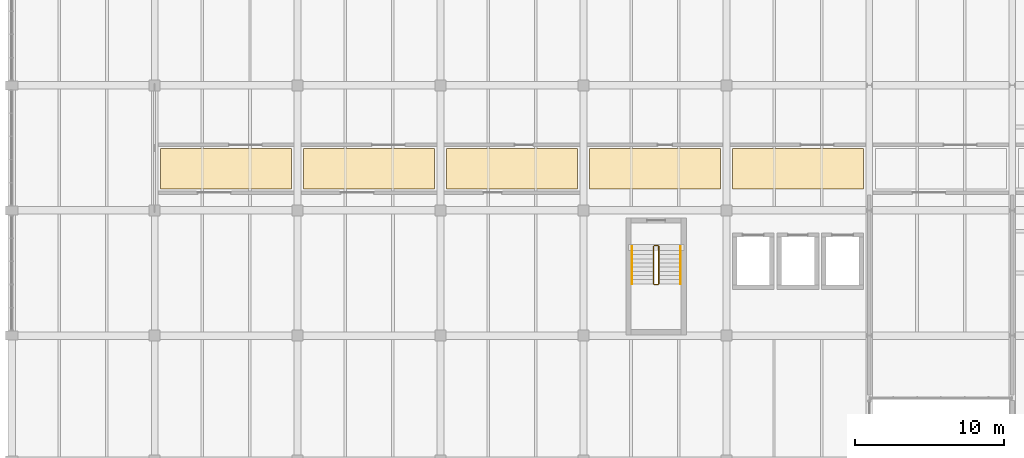
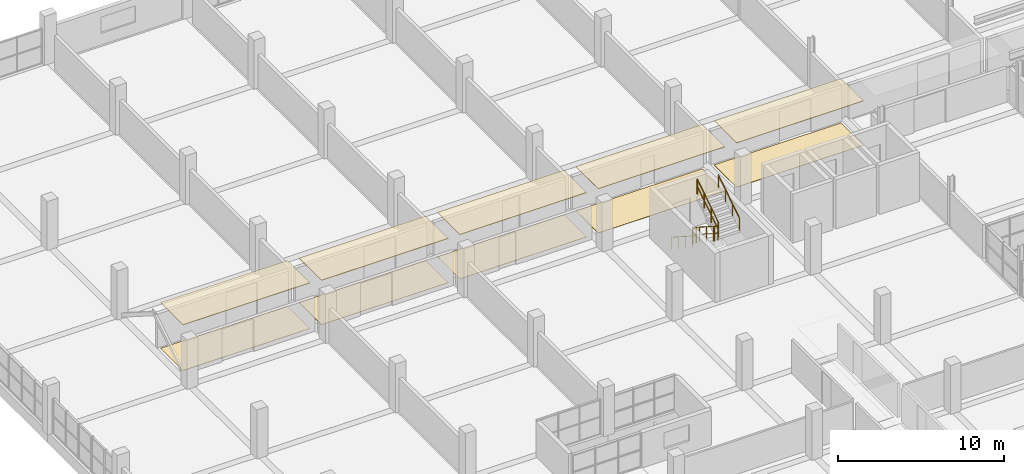
# One storey, part 137 of 147: 10 coverings, 6 railings.
"""IFC4 building model written with IfcOpenShell, lengths in metres."""

from ifc_helpers import new_model, si_unit, direction, frame, origin, origin_2d, place, context, subcontext, project, spatial, polyline, circle, outline, extrude, material, layer, layer_set, type_object, element, save


model = new_model("IFC4")

# Units and contexts
model_context = context("Model", 3, precision=1e-05, world=origin(), true_north=direction((0.0, 1.0)))
body_context = subcontext(model_context, "Body", "Model", "MODEL_VIEW")
ifc_project = project(units=[si_unit("LENGTHUNIT", "METRE"), si_unit("AREAUNIT", "SQUARE_METRE"), si_unit("VOLUMEUNIT", "CUBIC_METRE"), si_unit("PLANEANGLEUNIT", "RADIAN"), si_unit("MASSUNIT", "GRAM", prefix="KILO")], contexts=[model_context])

# Site, building, storey
site_placement = place(None, origin())
site = spatial("IfcSite", under=ifc_project, at=site_placement, CompositionType="ELEMENT")
building_placement = place(site_placement, origin())
building = spatial("IfcBuilding", under=site, at=building_placement, Name="Oolite Switchyard Hospital", CompositionType="ELEMENT")
storey_placement = place(building_placement, frame((0.0, 0.0, 9.89990234375)))
storey = spatial("IfcBuildingStorey", under=building, at=storey_placement, Name="L02", CompositionType="ELEMENT", Elevation=9.89990234375)

# Coverings
ifc_material_1 = material(Name="Hygienic washable mineral-fibre acoustic ceiling")
ifc_layer_1 = layer(ifc_material_1, 0.0400390625)
ifc_layer_set_1 = layer_set([ifc_layer_1], Name="COV-CEIL-AC60")
covering_type_1 = type_object("IfcCoveringType", Name="COV-CEIL-AC60", PredefinedType="CEILING", material=ifc_layer_set_1)
covering_1_placement = place(storey_placement, frame((0.0, 0.0, 3.340087890625)))
element("IfcCovering", 1, at=covering_1_placement, inside=storey, type_object=covering_type_1, Name="L02 Interstitial Engineering and Pharmacy Corridor Ceiling 1", PredefinedType="CEILING", context=body_context, shape_type="SweptSolid", body=[
    extrude(outline(polyline([(10.0, 102.25), (18.800048828125, 102.25), (18.800048828125, 104.949951171875), (10.0, 104.949951171875), (10.0, 102.25)])), origin(), (0.0, 0.0, 1.0), 0.0400390625),
])
covering_2_placement = place(storey_placement, frame((0.0, 0.0, 3.239990234375)))
element("IfcCovering", 2, at=covering_2_placement, inside=storey, type_object=covering_type_1, Name="L02 Interstitial Engineering and Pharmacy Corridor Ceiling 2", PredefinedType="CEILING", context=body_context, shape_type="SweptSolid", body=[
    extrude(outline(polyline([(19.60009765625, 102.25), (28.39990234375, 102.25), (28.39990234375, 104.949951171875), (19.60009765625, 104.949951171875), (19.60009765625, 102.25)])), origin(), (0.0, 0.0, 1.0), 0.0400390625),
])
covering_3_placement = place(storey_placement, frame((0.0, 0.0, 3.239990234375)))
element("IfcCovering", 3, at=covering_3_placement, inside=storey, type_object=covering_type_1, Name="L02 Interstitial Engineering and Pharmacy Corridor Ceiling 3", PredefinedType="CEILING", context=body_context, shape_type="SweptSolid", body=[
    extrude(outline(polyline([(29.199951171875, 102.25), (38.0, 102.25), (38.0, 104.949951171875), (29.199951171875, 104.949951171875), (29.199951171875, 102.25)])), origin(), (0.0, 0.0, 1.0), 0.0400390625),
])
covering_4_placement = place(storey_placement, frame((0.0, 0.0, 3.239990234375)))
element("IfcCovering", 4, at=covering_4_placement, inside=storey, type_object=covering_type_1, Name="L02 Interstitial Engineering and Pharmacy Corridor Ceiling 4", PredefinedType="CEILING", context=body_context, shape_type="SweptSolid", body=[
    extrude(outline(polyline([(38.800048828125, 102.25), (47.60009765625, 102.25), (47.60009765625, 104.949951171875), (38.800048828125, 104.949951171875), (38.800048828125, 102.25)])), origin(), (0.0, 0.0, 1.0), 0.0400390625),
])
covering_5_placement = place(storey_placement, frame((0.0, 0.0, 3.239990234375)))
element("IfcCovering", 5, at=covering_5_placement, inside=storey, type_object=covering_type_1, Name="L02 Interstitial Engineering and Pharmacy Corridor Ceiling 5", PredefinedType="CEILING", context=body_context, shape_type="SweptSolid", body=[
    extrude(outline(polyline([(48.39990234375, 102.25), (57.199951171875, 102.25), (57.199951171875, 104.949951171875), (48.39990234375, 104.949951171875), (48.39990234375, 102.25)])), origin(), (0.0, 0.0, 1.0), 0.0400390625),
])
ifc_material_2 = material(Name="Epoxy terrazzo seamless clinical flooring")
ifc_layer_2 = layer(ifc_material_2, 0.02001953125)
ifc_layer_set_2 = layer_set([ifc_layer_2], Name="COV-FLR-TER20")
covering_type_2 = type_object("IfcCoveringType", Name="COV-FLR-TER20", PredefinedType="FLOORING", material=ifc_layer_set_2)
covering_6_placement = place(storey_placement, origin())
element("IfcCovering", 6, at=covering_6_placement, inside=storey, type_object=covering_type_2, Name="L02 Interstitial Engineering and Pharmacy Corridor Flooring 1", PredefinedType="FLOORING", context=body_context, shape_type="SweptSolid", body=[
    extrude(outline(polyline([(10.0, 102.25), (18.800048828125, 102.25), (18.800048828125, 104.949951171875), (10.0, 104.949951171875), (10.0, 102.25)])), origin(), (0.0, 0.0, 1.0), 0.02001953125),
])
covering_7_placement = place(storey_placement, origin())
element("IfcCovering", 7, at=covering_7_placement, inside=storey, type_object=covering_type_2, Name="L02 Interstitial Engineering and Pharmacy Corridor Flooring 2", PredefinedType="FLOORING", context=body_context, shape_type="SweptSolid", body=[
    extrude(outline(polyline([(19.60009765625, 102.25), (28.39990234375, 102.25), (28.39990234375, 104.949951171875), (19.60009765625, 104.949951171875), (19.60009765625, 102.25)])), origin(), (0.0, 0.0, 1.0), 0.02001953125),
])
covering_8_placement = place(storey_placement, origin())
element("IfcCovering", 8, at=covering_8_placement, inside=storey, type_object=covering_type_2, Name="L02 Interstitial Engineering and Pharmacy Corridor Flooring 3", PredefinedType="FLOORING", context=body_context, shape_type="SweptSolid", body=[
    extrude(outline(polyline([(29.199951171875, 102.25), (38.0, 102.25), (38.0, 104.949951171875), (29.199951171875, 104.949951171875), (29.199951171875, 102.25)])), origin(), (0.0, 0.0, 1.0), 0.02001953125),
])
covering_9_placement = place(storey_placement, origin())
element("IfcCovering", 9, at=covering_9_placement, inside=storey, type_object=covering_type_2, Name="L02 Interstitial Engineering and Pharmacy Corridor Flooring 4", PredefinedType="FLOORING", context=body_context, shape_type="SweptSolid", body=[
    extrude(outline(polyline([(38.800048828125, 102.25), (47.60009765625, 102.25), (47.60009765625, 104.949951171875), (38.800048828125, 104.949951171875), (38.800048828125, 102.25)])), origin(), (0.0, 0.0, 1.0), 0.02001953125),
])
covering_10_placement = place(storey_placement, origin())
element("IfcCovering", 10, at=covering_10_placement, inside=storey, type_object=covering_type_2, Name="L02 Interstitial Engineering and Pharmacy Corridor Flooring 5", PredefinedType="FLOORING", context=body_context, shape_type="SweptSolid", body=[
    extrude(outline(polyline([(48.39990234375, 102.25), (57.199951171875, 102.25), (57.199951171875, 104.949951171875), (48.39990234375, 104.949951171875), (48.39990234375, 102.25)])), origin(), (0.0, 0.0, 1.0), 0.02001953125),
])

# Railings
ifc_material_3 = material(Name="Galvanized painted architectural steel handrail", Category="steel")
railing_type_1 = type_object("IfcRailingType", Name="RL-STAIR-GRD", PredefinedType="GUARDRAIL", material=ifc_material_3)
railing_1_placement = place(storey_placement, frame((43.110107421875, 98.389892578125, 0.18017578125)))
element("IfcRailing", 11, at=railing_1_placement, inside=storey, type_object=railing_type_1, Name="L02 ST-07 stair guard 1", PredefinedType="GUARDRAIL", context=body_context, shape_type="SweptSolid", body=[
    extrude(circle(Radius=0.02392578125, at=origin_2d()), frame((0.0, 0.0, 1.076171875), z_axis=(0.0, -0.841175827307, 0.540761710511), x_axis=(1.0, 0.0, 0.0)), (0.0, 0.0, 1.0), 2.99560546875),
    extrude(circle(Radius=0.015625, at=origin_2d()), frame((0.0, 0.0, 0.550048828125), z_axis=(0.0, -0.841175827307, 0.540761710511), x_axis=(1.0, 0.0, 0.0)), (0.0, 0.0, 1.0), 2.99560546875),
    extrude(circle(Radius=0.02099609375, at=origin_2d()), origin(), (0.0, 0.0, 1.0), 1.052001953125),
    extrude(circle(Radius=0.02099609375, at=origin_2d()), frame((0.0, -0.83984375, 0.5400390625)), (0.0, 0.0, 1.0), 1.052001953125),
    extrude(circle(Radius=0.02099609375, at=origin_2d()), frame((0.0, -1.679931640625, 1.079833984375)), (0.0, 0.0, 1.0), 1.052001953125),
    extrude(circle(Radius=0.02099609375, at=origin_2d()), frame((0.0, -2.519775390625, 1.619873046875)), (0.0, 0.0, 1.0), 1.052001953125),
])
railing_2_placement = place(storey_placement, frame((43.159912109375, 95.820068359375, 1.800048828125)))
element("IfcRailing", 12, at=railing_2_placement, inside=storey, type_object=railing_type_1, Name="L02 ST-07 stair guard 2", PredefinedType="GUARDRAIL", context=body_context, shape_type="SweptSolid", body=[
    extrude(circle(Radius=0.02392578125, at=origin_2d()), frame((0.0, 0.0, 1.076171875), z_axis=(1.0, 0.0, 0.0), x_axis=(0.0, 1.0, 0.0)), (0.0, 0.0, 1.0), 0.239990234375),
    extrude(circle(Radius=0.015625, at=origin_2d()), frame((0.0, 0.0, 0.550048828125), z_axis=(1.0, 0.0, 0.0), x_axis=(0.0, 1.0, 0.0)), (0.0, 0.0, 1.0), 0.239990234375),
    extrude(circle(Radius=0.02099609375, at=origin_2d()), origin(), (0.0, 0.0, 1.0), 1.052001953125),
    extrude(circle(Radius=0.02099609375, at=origin_2d()), frame((0.239990234375, 0.0, 0.0)), (0.0, 0.0, 1.0), 1.052001953125),
])
railing_3_placement = place(storey_placement, frame((43.449951171875, 95.8701171875, 1.97998046875)))
element("IfcRailing", 13, at=railing_3_placement, inside=storey, type_object=railing_type_1, Name="L02 ST-07 stair guard 3", PredefinedType="GUARDRAIL", context=body_context, shape_type="SweptSolid", body=[
    extrude(circle(Radius=0.02392578125, at=origin_2d()), frame((0.0, 0.0, 1.076171875), z_axis=(0.0, 0.841138753965, 0.540819375188), x_axis=(-1.0, 0.0, 0.0)), (0.0, 0.0, 1.0), 2.99560546875),
    extrude(circle(Radius=0.015625, at=origin_2d()), frame((0.0, 0.0, 0.550048828125), z_axis=(0.0, 0.841138753965, 0.540819375188), x_axis=(-1.0, 0.0, 0.0)), (0.0, 0.0, 1.0), 2.99560546875),
    extrude(circle(Radius=0.02099609375, at=origin_2d()), origin(), (0.0, 0.0, 1.0), 1.052001953125),
    extrude(circle(Radius=0.02099609375, at=origin_2d()), frame((0.0, 0.83984375, 0.5400390625)), (0.0, 0.0, 1.0), 1.052001953125),
    extrude(circle(Radius=0.02099609375, at=origin_2d()), frame((0.0, 1.679931640625, 1.080078125)), (0.0, 0.0, 1.0), 1.052001953125),
    extrude(circle(Radius=0.02099609375, at=origin_2d()), frame((0.0, 2.519775390625, 1.6201171875)), (0.0, 0.0, 1.0), 1.052001953125),
])
railing_4_placement = place(storey_placement, frame((43.159912109375, 98.43994140625, 0.0)))
element("IfcRailing", 14, at=railing_4_placement, inside=storey, type_object=railing_type_1, Name="L02 ST-07 stair guard 4", PredefinedType="GUARDRAIL", context=body_context, shape_type="SweptSolid", body=[
    extrude(circle(Radius=0.02392578125, at=origin_2d()), frame((0.0, 0.0, 1.076171875), z_axis=(1.0, 0.0, 0.0), x_axis=(0.0, 1.0, 0.0)), (0.0, 0.0, 1.0), 0.239990234375),
    extrude(circle(Radius=0.015625, at=origin_2d()), frame((0.0, 0.0, 0.550048828125), z_axis=(1.0, 0.0, 0.0), x_axis=(0.0, 1.0, 0.0)), (0.0, 0.0, 1.0), 0.239990234375),
    extrude(circle(Radius=0.02099609375, at=origin_2d()), origin(), (0.0, 0.0, 1.0), 1.052001953125),
    extrude(circle(Radius=0.02099609375, at=origin_2d()), frame((0.239990234375, 0.0, 0.0)), (0.0, 0.0, 1.0), 1.052001953125),
])
railing_type_2 = type_object("IfcRailingType", Name="RL-STAIR-HND", PredefinedType="HANDRAIL", material=ifc_material_3)
railing_5_placement = place(storey_placement, frame((41.64990234375, 98.389892578125, 0.18017578125)))
element("IfcRailing", 15, at=railing_5_placement, inside=storey, type_object=railing_type_2, Name="L02 ST-07 stair handrail 1", PredefinedType="HANDRAIL", context=body_context, shape_type="SweptSolid", body=[
    extrude(circle(Radius=0.02392578125, at=origin_2d()), frame((0.0, 0.0, 0.8759765625), z_axis=(0.0, -0.841175827307, 0.540761710511), x_axis=(1.0, 0.0, 0.0)), (0.0, 0.0, 1.0), 2.99560546875),
    extrude(circle(Radius=0.02099609375, at=origin_2d()), origin(), (0.0, 0.0, 1.0), 0.851806640625),
    extrude(circle(Radius=0.02099609375, at=origin_2d()), frame((0.0, -0.83984375, 0.5400390625)), (0.0, 0.0, 1.0), 0.851806640625),
    extrude(circle(Radius=0.02099609375, at=origin_2d()), frame((0.0, -1.679931640625, 1.079833984375)), (0.0, 0.0, 1.0), 0.851806640625),
    extrude(circle(Radius=0.02099609375, at=origin_2d()), frame((0.0, -2.519775390625, 1.619873046875)), (0.0, 0.0, 1.0), 0.851806640625),
])
railing_6_placement = place(storey_placement, frame((44.909912109375, 95.8701171875, 1.97998046875)))
element("IfcRailing", 16, at=railing_6_placement, inside=storey, type_object=railing_type_2, Name="L02 ST-07 stair handrail 2", PredefinedType="HANDRAIL", context=body_context, shape_type="SweptSolid", body=[
    extrude(circle(Radius=0.02392578125, at=origin_2d()), frame((0.0, 0.0, 0.8759765625), z_axis=(0.0, 0.841138753965, 0.540819375188), x_axis=(-1.0, 0.0, 0.0)), (0.0, 0.0, 1.0), 2.99560546875),
    extrude(circle(Radius=0.02099609375, at=origin_2d()), origin(), (0.0, 0.0, 1.0), 0.851806640625),
    extrude(circle(Radius=0.02099609375, at=origin_2d()), frame((0.0, 0.83984375, 0.5400390625)), (0.0, 0.0, 1.0), 0.851806640625),
    extrude(circle(Radius=0.02099609375, at=origin_2d()), frame((0.0, 1.679931640625, 1.080078125)), (0.0, 0.0, 1.0), 0.851806640625),
    extrude(circle(Radius=0.02099609375, at=origin_2d()), frame((0.0, 2.519775390625, 1.6201171875)), (0.0, 0.0, 1.0), 0.851806640625),
])

save(model, "model.ifc")
